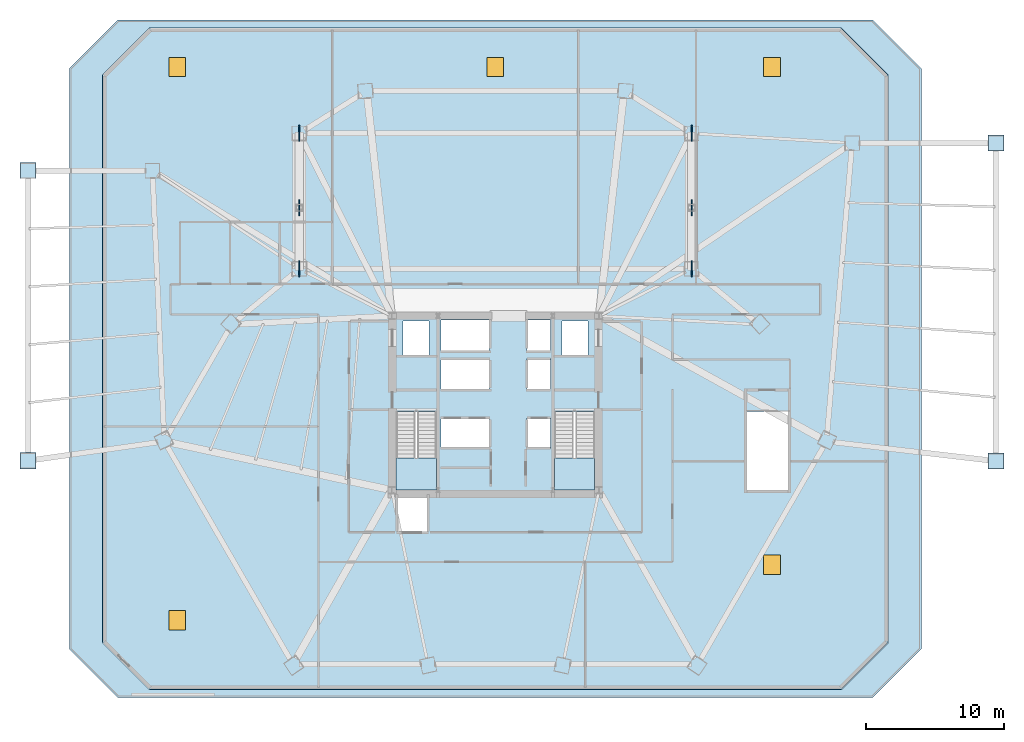
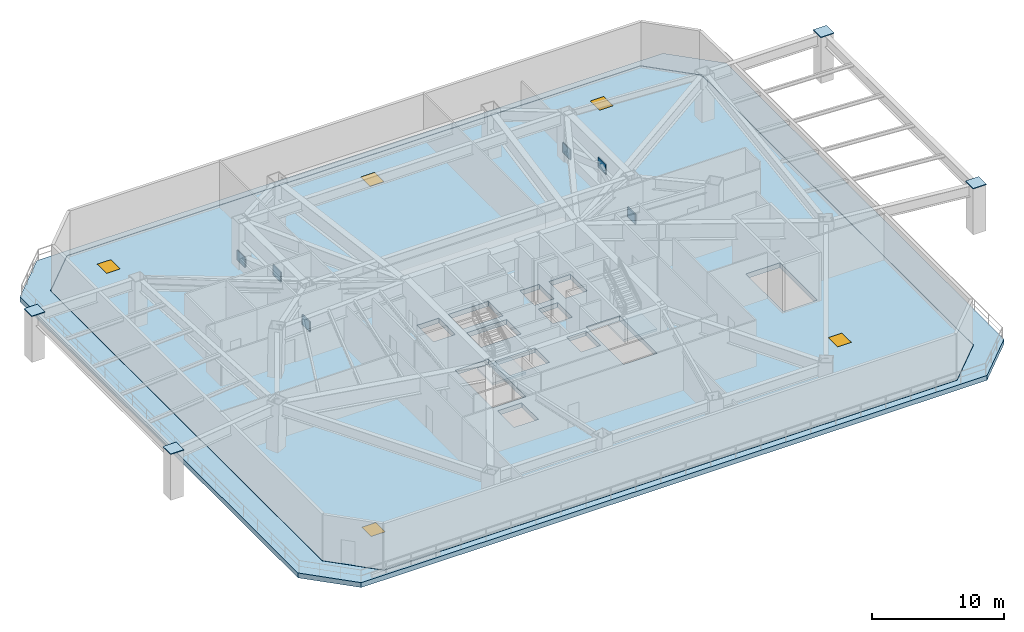
# One storey, part 5 of 13: 10 plates, 5 windows, 4 slabs, 5 openings, 2 elements without a shape of their own.
"""IFC4 building model written with IfcOpenShell, lengths in metres."""

from ifc_helpers import new_model, si_unit, direction, frame, origin, origin_2d, place, context, subcontext, project, spatial, polyline, rectangle, outline, extrude, source, transform, mapped, material, layer, layer_set, type_object, type_shapes, element, fill, aggregate, save


model = new_model("IFC4")

# Units and contexts
model_context = context("Model", 3, precision=1e-05, world=origin(), true_north=direction((0.0, 1.0)))
body_context = subcontext(model_context, "Body", "Model", "MODEL_VIEW")
ifc_project = project(units=[si_unit("LENGTHUNIT", "METRE"), si_unit("AREAUNIT", "SQUARE_METRE"), si_unit("VOLUMEUNIT", "CUBIC_METRE"), si_unit("PLANEANGLEUNIT", "RADIAN"), si_unit("MASSUNIT", "GRAM", prefix="KILO")], contexts=[model_context])

# Site, building, storey
site_placement = place(None, origin())
site = spatial("IfcSite", under=ifc_project, at=site_placement, CompositionType="ELEMENT")
building_placement = place(site_placement, origin())
building = spatial("IfcBuilding", under=site, at=building_placement, Name="Caelisora Broadcast Tower", CompositionType="ELEMENT")
storey_placement = place(building_placement, frame((0.0, 0.0, 23.10009765625)))
storey = spatial("IfcBuildingStorey", under=building, at=storey_placement, Name="L05", CompositionType="ELEMENT", Elevation=23.10009765625)

# Slab, openings, windows
ifc_material_1 = material(Name="Concrete 50 MPa (AS 3600 S50)", Category="concrete")
ifc_layer_1 = layer(ifc_material_1, 0.449951171875, Name="Concrete 50 MPa (AS 3600 S50)")
ifc_layer_set_1 = layer_set([ifc_layer_1], Name="Concrete 50 MPa (AS 3600 S50)")
slab_type_1 = type_object("IfcSlabType", Name="SL02", PredefinedType="FLOOR", material=ifc_layer_set_1)
slab_1_placement = place(storey_placement, frame((0.0, 0.0, -0.4501953125)))
slab_1 = element("IfcSlab", 1, at=slab_1_placement, inside=storey, type_object=slab_type_1, Name="L05 suspended floor SL02", PredefinedType="FLOOR", context=body_context, shape_type="SweptSolid", body=[
    extrude(outline(polyline([(12.98291015625, 3.0), (9.60009765625, 6.383056640625), (9.60009765625, 47.4169921875), (12.98291015625, 50.800048828125), (63.01708984375, 50.800048828125), (66.39990234375, 47.4169921875), (66.39990234375, 6.383056640625), (63.01708984375, 3.0), (12.98291015625, 3.0)]), holes=[polyline([(30.820068359375, 17.39990234375), (33.739990234375, 17.39990234375), (33.739990234375, 23.080078125), (30.820068359375, 23.080078125), (30.820068359375, 17.39990234375)]), polyline([(42.260009765625, 17.39990234375), (45.179931640625, 17.39990234375), (45.179931640625, 23.080078125), (42.260009765625, 23.080078125), (42.260009765625, 17.39990234375)]), polyline([(56.199951171875, 17.39990234375), (59.159912109375, 17.39990234375), (59.159912109375, 23.080078125), (56.199951171875, 23.080078125), (56.199951171875, 17.39990234375)]), polyline([(42.800048828125, 27.14990234375), (44.699951171875, 27.14990234375), (44.699951171875, 29.64990234375), (42.800048828125, 29.64990234375), (42.800048828125, 27.14990234375)]), polyline([(40.300048828125, 20.429931640625), (42.0, 20.429931640625), (42.0, 22.6298828125), (40.300048828125, 22.6298828125), (40.300048828125, 20.429931640625)]), polyline([(40.300048828125, 24.719970703125), (42.0, 24.719970703125), (42.0, 26.919921875), (40.300048828125, 26.919921875), (40.300048828125, 24.719970703125)]), polyline([(40.300048828125, 27.5), (42.0, 27.5), (42.0, 29.699951171875), (40.300048828125, 29.699951171875), (40.300048828125, 27.5)]), polyline([(34.050048828125, 27.5), (37.550048828125, 27.5), (37.550048828125, 29.699951171875), (34.050048828125, 29.699951171875), (34.050048828125, 27.5)]), polyline([(34.050048828125, 20.429931640625), (37.550048828125, 20.429931640625), (37.550048828125, 22.6298828125), (34.050048828125, 22.6298828125), (34.050048828125, 20.429931640625)]), polyline([(34.050048828125, 24.719970703125), (37.550048828125, 24.719970703125), (37.550048828125, 26.919921875), (34.050048828125, 26.919921875), (34.050048828125, 24.719970703125)]), polyline([(31.300048828125, 27.14990234375), (33.199951171875, 27.14990234375), (33.199951171875, 29.64990234375), (31.300048828125, 29.64990234375), (31.300048828125, 27.14990234375)]), polyline([(30.949951171875, 14.35009765625), (33.050048828125, 14.35009765625), (33.050048828125, 16.85009765625), (30.949951171875, 16.85009765625), (30.949951171875, 14.35009765625)])]), origin(), (0.0, 0.0, 1.0), 0.4501953125),
])
opening_1_placement = place(slab_1_placement, frame((15.0, 48.0, 0.0)))
opening_1 = element("IfcOpeningElement", 2, at=opening_1_placement, cuts=slab_1, Name="Opening SK02", PredefinedType="OPENING", context=body_context, shape_type="SweptSolid", body=[
    extrude(rectangle(XDim=1.199951171875, YDim=1.39990234375, at=origin_2d()), origin(), (0.0, 0.0, 1.0), 0.4501953125),
])
opening_2_placement = place(slab_1_placement, frame((58.0, 48.0, 0.0)))
opening_2 = element("IfcOpeningElement", 3, at=opening_2_placement, cuts=slab_1, Name="Opening SK02", PredefinedType="OPENING", context=body_context, shape_type="SweptSolid", body=[
    extrude(rectangle(XDim=1.199951171875, YDim=1.39990234375, at=origin_2d()), origin(), (0.0, 0.0, 1.0), 0.4501953125),
])
opening_3_placement = place(slab_1_placement, frame((15.0, 8.0, 0.0)))
opening_3 = element("IfcOpeningElement", 4, at=opening_3_placement, cuts=slab_1, Name="Opening SK02", PredefinedType="OPENING", context=body_context, shape_type="SweptSolid", body=[
    extrude(rectangle(XDim=1.199951171875, YDim=1.39990234375, at=origin_2d()), origin(), (0.0, 0.0, 1.0), 0.4501953125),
])
opening_4_placement = place(slab_1_placement, frame((58.0, 12.0, 0.0)))
opening_4 = element("IfcOpeningElement", 5, at=opening_4_placement, cuts=slab_1, Name="Opening SK02", PredefinedType="OPENING", context=body_context, shape_type="SweptSolid", body=[
    extrude(rectangle(XDim=1.199951171875, YDim=1.39990234375, at=origin_2d()), origin(), (0.0, 0.0, 1.0), 0.4501953125),
])
opening_5_placement = place(slab_1_placement, frame((38.0, 48.0, 0.0)))
opening_5 = element("IfcOpeningElement", 6, at=opening_5_placement, cuts=slab_1, Name="Opening SK02", PredefinedType="OPENING", context=body_context, shape_type="SweptSolid", body=[
    extrude(rectangle(XDim=1.199951171875, YDim=1.39990234375, at=origin_2d()), origin(), (0.0, 0.0, 1.0), 0.4501953125),
])
ifc_material_2 = material(Name="Insulated Aluminium Roof Access Hatch Skylight", Category="glass")
window_type = type_object("IfcWindowType", Name="SK02", PartitioningType="SINGLE_PANEL", PredefinedType="SKYLIGHT", material=ifc_material_2)
window_1_placement = place(opening_1_placement, frame((0.0, 0.0, 0.400146484375)))
window_1 = element("IfcWindow", 7, at=window_1_placement, inside=storey, type_object=window_type, Name="L05 maintenance access hatch skylight #1", OverallHeight=1.39990234375, OverallWidth=1.199951171875, PartitioningType="SINGLE_PANEL", PredefinedType="SKYLIGHT", context=body_context, shape_type="SweptSolid", body=[
    extrude(rectangle(XDim=1.199951171875, YDim=1.39990234375, at=origin_2d()), origin(), (0.0, 0.0, 1.0), 0.050048828125),
])
fill(opening_1, window_1)
window_2_placement = place(opening_2_placement, frame((0.0, 0.0, 0.400146484375)))
window_2 = element("IfcWindow", 8, at=window_2_placement, inside=storey, type_object=window_type, Name="L05 maintenance access hatch skylight #2", OverallHeight=1.39990234375, OverallWidth=1.199951171875, PartitioningType="SINGLE_PANEL", PredefinedType="SKYLIGHT", context=body_context, shape_type="SweptSolid", body=[
    extrude(rectangle(XDim=1.199951171875, YDim=1.39990234375, at=origin_2d()), origin(), (0.0, 0.0, 1.0), 0.050048828125),
])
fill(opening_2, window_2)
window_3_placement = place(opening_3_placement, frame((0.0, 0.0, 0.400146484375)))
window_3 = element("IfcWindow", 9, at=window_3_placement, inside=storey, type_object=window_type, Name="L05 maintenance access hatch skylight #3", OverallHeight=1.39990234375, OverallWidth=1.199951171875, PartitioningType="SINGLE_PANEL", PredefinedType="SKYLIGHT", context=body_context, shape_type="SweptSolid", body=[
    extrude(rectangle(XDim=1.199951171875, YDim=1.39990234375, at=origin_2d()), origin(), (0.0, 0.0, 1.0), 0.050048828125),
])
fill(opening_3, window_3)
window_4_placement = place(opening_4_placement, frame((0.0, 0.0, 0.400146484375)))
window_4 = element("IfcWindow", 10, at=window_4_placement, inside=storey, type_object=window_type, Name="L05 maintenance access hatch skylight #4", OverallHeight=1.39990234375, OverallWidth=1.199951171875, PartitioningType="SINGLE_PANEL", PredefinedType="SKYLIGHT", context=body_context, shape_type="SweptSolid", body=[
    extrude(rectangle(XDim=1.199951171875, YDim=1.39990234375, at=origin_2d()), origin(), (0.0, 0.0, 1.0), 0.050048828125),
])
fill(opening_4, window_4)
window_5_placement = place(opening_5_placement, frame((0.0, 0.0, 0.400146484375)))
window_5 = element("IfcWindow", 11, at=window_5_placement, inside=storey, type_object=window_type, Name="L05 maintenance access hatch skylight #5", OverallHeight=1.39990234375, OverallWidth=1.199951171875, PartitioningType="SINGLE_PANEL", PredefinedType="SKYLIGHT", context=body_context, shape_type="SweptSolid", body=[
    extrude(rectangle(XDim=1.199951171875, YDim=1.39990234375, at=origin_2d()), origin(), (0.0, 0.0, 1.0), 0.050048828125),
])
fill(opening_5, window_5)

# Stair, slab
ifc_material_3 = material(Name="Concrete 40 MPa (AS 3600 N40)", Category="concrete")
stair_type_1 = type_object("IfcStairType", Name="ST-1", PredefinedType="HALF_TURN_STAIR", material=ifc_material_3)
stair_1_placement = place(storey_placement, origin())
stair_1 = element("IfcStair", 12, at=stair_1_placement, inside=storey, type_object=stair_type_1, Name="L05 West Fire-Isolated Tower Stair", PredefinedType="HALF_TURN_STAIR")
ifc_layer_2 = layer(ifc_material_3, 0.199951171875, Name="Concrete 40 MPa (AS 3600 N40)")
ifc_layer_set_2 = layer_set([ifc_layer_2], Name="Concrete 40 MPa (AS 3600 N40)")
slab_type_2 = type_object("IfcSlabType", Name="STL-1", PredefinedType="LANDING", material=ifc_layer_set_2)
slab_2_placement = place(storey_placement, frame((0.0, 0.0, 2.0498046875)))
slab_2 = element("IfcSlab", 13, at=slab_2_placement, type_object=slab_type_2, Name="ST-1 landing 1", PredefinedType="LANDING", context=body_context, shape_type="SweptSolid", body=[
    extrude(outline(polyline([(30.820068359375, 19.739990234375), (30.820068359375, 17.39990234375), (33.739990234375, 17.39990234375), (33.739990234375, 19.739990234375), (30.820068359375, 19.739990234375)])), origin(), (0.0, 0.0, 1.0), 0.2001953125),
])
aggregate(stair_1, [slab_2])

stair_type_2 = type_object("IfcStairType", Name="ST-2", PredefinedType="HALF_TURN_STAIR", material=ifc_material_3)
stair_2_placement = place(storey_placement, origin())
stair_2 = element("IfcStair", 14, at=stair_2_placement, inside=storey, type_object=stair_type_2, Name="L05 East Fire-Isolated Tower Stair", PredefinedType="HALF_TURN_STAIR")
slab_3_placement = place(storey_placement, frame((0.0, 0.0, 2.0498046875)))
slab_3 = element("IfcSlab", 15, at=slab_3_placement, type_object=slab_type_2, Name="ST-2 landing 1", PredefinedType="LANDING", context=body_context, shape_type="SweptSolid", body=[
    extrude(outline(polyline([(42.260009765625, 19.739990234375), (42.260009765625, 17.39990234375), (45.179931640625, 17.39990234375), (45.179931640625, 19.739990234375), (42.260009765625, 19.739990234375)])), origin(), (0.0, 0.0, 1.0), 0.2001953125),
])
aggregate(stair_2, [slab_3])

# Slab
ifc_layer_3 = layer(ifc_material_1, 0.449951171875, Name="Concrete 50 MPa (AS 3600 S50)")
ifc_layer_set_3 = layer_set([ifc_layer_3], Name="Concrete 50 MPa (AS 3600 S50)")
slab_type_3 = type_object("IfcSlabType", Name="TR04", PredefinedType="FLOOR", material=ifc_layer_set_3)
slab_4_placement = place(storey_placement, frame((0.0, 0.0, -0.4501953125)))
element("IfcSlab", 16, at=slab_4_placement, inside=storey, type_object=slab_type_3, Name="L05 outdoor terrace slab TR04", PredefinedType="FLOOR", context=body_context, shape_type="SweptSolid", body=[
    extrude(outline(polyline([(7.199951171875, 5.89990234375), (7.199951171875, 47.89990234375), (10.699951171875, 51.39990234375), (65.300048828125, 51.39990234375), (68.800048828125, 47.89990234375), (68.800048828125, 5.89990234375), (65.300048828125, 2.39990234375), (10.699951171875, 2.39990234375), (7.199951171875, 5.89990234375)]), holes=[polyline([(63.02490234375, 2.97998046875), (66.419921875, 6.375), (66.419921875, 47.425048828125), (63.02490234375, 50.820068359375), (12.97509765625, 50.820068359375), (9.580078125, 47.425048828125), (9.580078125, 6.375), (12.97509765625, 2.97998046875), (63.02490234375, 2.97998046875)])]), origin(), (0.0, 0.0, 1.0), 0.4501953125),
])

# Plates
ifc_material_4 = material(Name="Steel Grade 350 L15 (AS/NZS 3678)", Category="steel")
ifc_layer_4 = layer(ifc_material_4, 0.06005859375, Name="Steel Grade 350 L15 (AS/NZS 3678)")
ifc_layer_set_4 = layer_set([ifc_layer_4], Name="Steel Grade 350 L15 (AS/NZS 3678)")
plate_type_1 = type_object("IfcPlateType", Name="GP02", PredefinedType="USERDEFINED", material=ifc_layer_set_4)
shared_shape_1 = source(origin(), body_context, "Body", "SweptSolid", [
    extrude(rectangle(XDim=1.159912109375, YDim=1.159912109375, at=origin_2d()), origin(), (0.0, 0.0, 1.0), 0.06005859375),
])
type_shapes(plate_type_1, [shared_shape_1])
for number, where, z_axis, x_axis, name in (
    (17, (4.199951171875, 19.52587890625, 4.249755859375), (0.0, 0.0, 1.0), (1.0, 0.0, 0.0), "L05 column cap plate GP02 (ND-MCAP-15)"),
    (18, (4.199951171875, 40.5, 4.249755859375), (0.0, 0.0, 1.0), (1.0, 0.0, 0.0), "L05 column cap plate GP02 (ND-MCAP-16)"),
    (19, (74.199951171875, 19.5, 4.249755859375), (0.0, 0.0, 1.0), (1.0, 0.0, 0.0), "L05 column cap plate GP02 (ND-MCAP-17)"),
    (20, (74.199951171875, 42.5, 4.249755859375), (0.0, 0.0, 1.0), (1.0, 0.0, 0.0), "L05 column cap plate GP02 (ND-MCAP-18)"),
):
    element("IfcPlate", number, at=place(storey_placement, frame(where, z_axis=z_axis, x_axis=x_axis)), inside=storey, type_object=plate_type_1, Name=name, ObjectType="GUSSET PLATE", PredefinedType="USERDEFINED", context=body_context, shape_type="MappedRepresentation", body=[
        mapped(shared_shape_1, transform((0.0, 0.0, 0.0), scale=1.0)),
    ])
ifc_layer_5 = layer(ifc_material_4, 0.080078125, Name="Steel Grade 350 L15 (AS/NZS 3678)")
ifc_layer_set_5 = layer_set([ifc_layer_5], Name="Steel Grade 350 L15 (AS/NZS 3678)")
plate_type_2 = type_object("IfcPlateType", Name="GP01", PredefinedType="USERDEFINED", material=ifc_layer_set_5)
shared_shape_2 = source(origin(), body_context, "Body", "SweptSolid", [
    extrude(rectangle(XDim=1.14990234375, YDim=0.080078125, at=origin_2d()), origin(), (0.0, 0.0, 1.0), 0.89990234375),
])
type_shapes(plate_type_2, [shared_shape_2])
for number, where, z_axis, x_axis, name in (
    (21, (23.81103515625, 33.39990234375, 0.099853515625), (0.0, 0.0, 1.0), (0.0, 1.0, 0.0), "L05 gusset plate GP01 (ND-TR11)"),
    (22, (23.81103515625, 37.823974609375, 2.0), (0.0, 0.0, 1.0), (0.0, 1.0, 0.0), "L05 gusset plate GP01 (ND-TR12)"),
    (23, (23.81103515625, 43.199951171875, 0.099853515625), (0.0, 0.0, 1.0), (0.0, 1.0, 0.0), "L05 gusset plate GP01 (ND-TR13)"),
    (24, (52.18896484375, 33.39990234375, 0.099853515625), (0.0, 0.0, 1.0), (0.0, 1.0, 0.0), "L05 gusset plate GP01 (ND-TR21)"),
    (25, (52.18896484375, 37.823974609375, 2.0), (0.0, 0.0, 1.0), (0.0, 1.0, 0.0), "L05 gusset plate GP01 (ND-TR22)"),
    (26, (52.18896484375, 43.199951171875, 0.099853515625), (0.0, 0.0, 1.0), (0.0, 1.0, 0.0), "L05 gusset plate GP01 (ND-TR23)"),
):
    element("IfcPlate", number, at=place(storey_placement, frame(where, z_axis=z_axis, x_axis=x_axis)), inside=storey, type_object=plate_type_2, Name=name, ObjectType="GUSSET PLATE", PredefinedType="USERDEFINED", context=body_context, shape_type="MappedRepresentation", body=[
        mapped(shared_shape_2, transform((0.0, 0.0, 0.0), scale=1.0)),
    ])

save(model, "model.ifc")
